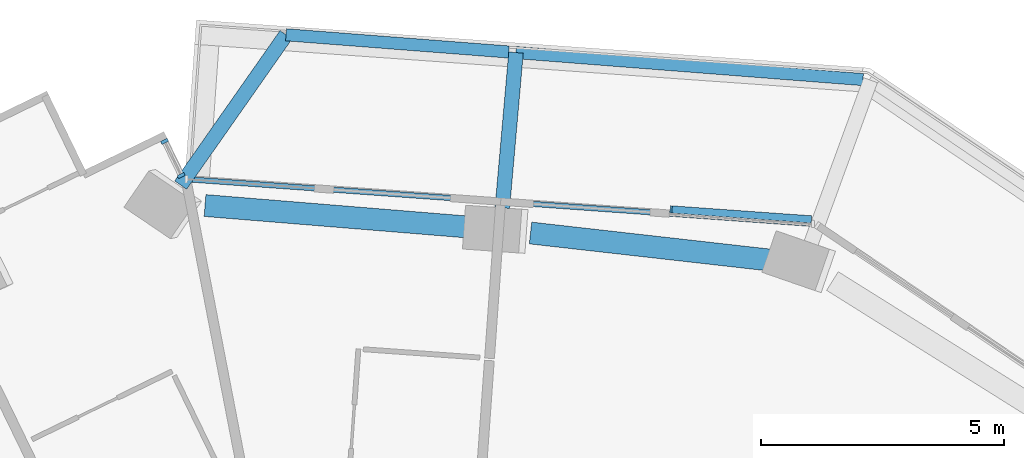
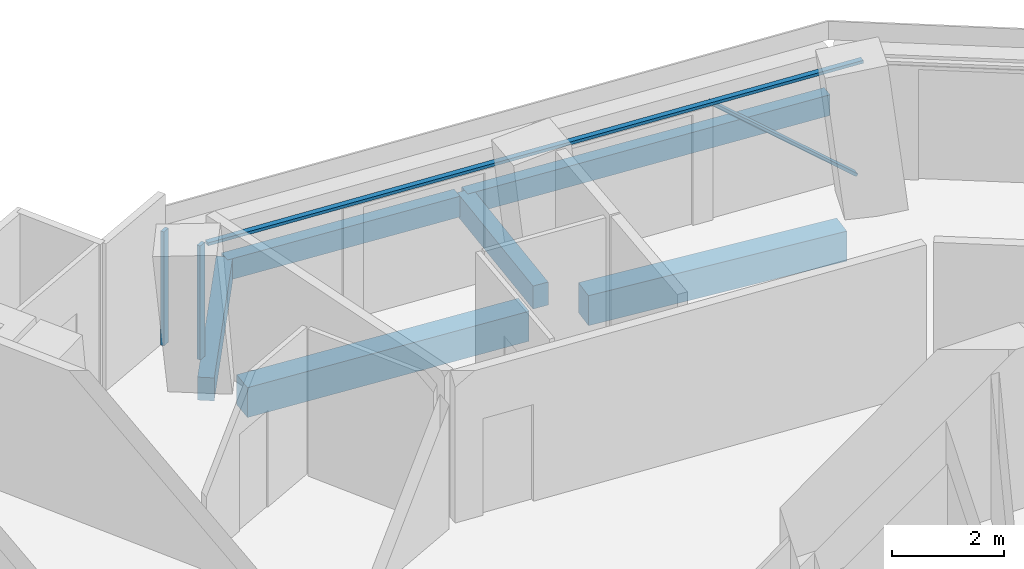
# One storey, part 7 of 22: 6 beams, 4 members, 2 elements without a shape of their own.
"""IFC4 building model written with IfcOpenShell, lengths in metres."""

import ifcopenshell
import ifcopenshell.guid

model = None  # the IFC model being written
_history = None  # IfcOwnerHistory: only IFC2X3 demands one
_inside = {}  # id of a spatial element -> (the spatial element, [elements in it])
_under = {}  # id of a project, library or spatial element -> (it, [spatial elements below it])
_declared = {}  # id of a project -> (the project, [libraries it declares])
_typed = {}  # id of a type object -> (the type object, [elements of that type])
_made_of = {}  # id of a material, layer set ... -> (it, [elements and type objects made of it])


def new_model(schema):
    """Start an empty IFC model of exactly this schema.

    Asked for "IFC4X3", IfcOpenShell would pick the latest addendum, in which some entities
    have other attributes; the version numbers below select the first issue.
    IFC2X3 requires an IfcOwnerHistory on every rooted entity: one is made here for all.
    """
    global model, _history
    if schema == "IFC4X3":
        model = ifcopenshell.file(schema_version=(4, 3, 0, 0))
    else:
        model = ifcopenshell.file(schema=schema)
    _inside.clear()
    _under.clear()
    _declared.clear()
    _typed.clear()
    _made_of.clear()
    _history = None
    if model.schema == "IFC2X3":
        org = make("IfcOrganization", Name="unknown")
        user = make(
            "IfcPersonAndOrganization",
            ThePerson=make("IfcPerson", FamilyName="unknown"),
            TheOrganization=org,
        )
        app = make(
            "IfcApplication",
            ApplicationDeveloper=org,
            Version="unknown",
            ApplicationFullName="unknown",
            ApplicationIdentifier="unknown",
        )
        _history = make(
            "IfcOwnerHistory",
            OwningUser=user,
            OwningApplication=app,
            ChangeAction="ADDED",
            CreationDate=0,
        )
    return model


def make(cls, **values):
    """One entity of the class cls with the attributes given. An attribute that is None is left unset."""
    return model.create_entity(
        cls, **{name: value for name, value in values.items() if value is not None}
    )


def rooted(cls, **values):
    """An entity with a GlobalId (a new one), such as an element, a storey or a relation."""
    return make(cls, GlobalId=ifcopenshell.guid.new(), OwnerHistory=_history, **values)


def si_unit(unit_type, name, prefix=None):
    """IfcSIUnit, for example si_unit("LENGTHUNIT", "METRE", prefix="MILLI")."""
    return make("IfcSIUnit", UnitType=unit_type, Prefix=prefix, Name=name)


def assignment(units):
    """IfcUnitAssignment: the units of a project."""
    return None if units is None else make("IfcUnitAssignment", Units=units)


def point(xyz):
    """IfcCartesianPoint."""
    return None if xyz is None else make("IfcCartesianPoint", Coordinates=xyz)


def direction(xyz):
    """IfcDirection."""
    return None if xyz is None else make("IfcDirection", DirectionRatios=xyz)


def frame(location, z_axis=None, x_axis=None):
    """IfcAxis2Placement3D, a coordinate frame: its origin and axes. An axis left out is left unset."""
    return make(
        "IfcAxis2Placement3D",
        Location=point(location),
        Axis=direction(z_axis),
        RefDirection=direction(x_axis),
    )


def frame_2d(location, x_axis=None):
    """IfcAxis2Placement2D, a coordinate frame in the plane: its origin and x axis."""
    return make(
        "IfcAxis2Placement2D", Location=point(location), RefDirection=direction(x_axis)
    )


def origin():
    """The frame at (0, 0, 0) with its axes left unset."""
    return frame((0.0, 0.0, 0.0))


def origin_2d():
    """The frame at (0, 0) in the plane with its x axis left unset."""
    return frame_2d((0.0, 0.0))


def place(relative_to, where):
    """IfcLocalPlacement: puts the frame where relative to a parent placement (None: the world)."""
    return make(
        "IfcLocalPlacement", PlacementRelTo=relative_to, RelativePlacement=where
    )


def context(
    kind, dimensions, precision=None, world=None, true_north=None, identifier=None
):
    """IfcGeometricRepresentationContext, for example the 3D "Model" context."""
    return make(
        "IfcGeometricRepresentationContext",
        ContextIdentifier=identifier,
        ContextType=kind,
        CoordinateSpaceDimension=dimensions,
        Precision=precision,
        WorldCoordinateSystem=world,
        TrueNorth=true_north,
    )


def subcontext(parent, identifier, kind, view, scale=None):
    """IfcGeometricRepresentationSubContext, for example "Body" below "Model"."""
    return make(
        "IfcGeometricRepresentationSubContext",
        ContextIdentifier=identifier,
        ContextType=kind,
        ParentContext=parent,
        TargetScale=scale,
        TargetView=view,
    )


def project(units=None, contexts=None):
    """IfcProject with its units and contexts."""
    return rooted(
        "IfcProject",
        Name="project",
        RepresentationContexts=contexts,
        UnitsInContext=assignment(units),
    )


def spatial(cls, under=None, at=None, **own):
    """A site, building, storey or space (cls), placed at a placement, below another one or the project."""
    s = rooted(cls, ObjectPlacement=at, **own)
    if under is not None:
        _under.setdefault(under.id(), (under, []))[1].append(s)
    return s


def profile(cls, at=None, kind="AREA", **sizes):
    """A parametric profile (cls). Its sizes go by their IFC names, for example OverallWidth=200.0."""
    return make(cls, ProfileType=kind, Position=at, **sizes)


def rectangle(**sizes):
    """IfcRectangleProfileDef."""
    return profile("IfcRectangleProfileDef", **sizes)


def extrude(swept, where, along, depth):
    """IfcExtrudedAreaSolid: the profile swept, set in the frame where, extruded along a direction by depth."""
    return make(
        "IfcExtrudedAreaSolid",
        SweptArea=swept,
        Position=where,
        ExtrudedDirection=direction(along),
        Depth=depth,
    )


def shape(context_of_items, identifier, shape_type, items):
    """IfcShapeRepresentation: the items that make up one representation, for example the "Body"."""
    return make(
        "IfcShapeRepresentation",
        ContextOfItems=context_of_items,
        RepresentationIdentifier=identifier,
        RepresentationType=shape_type,
        Items=items,
    )


def material(Name=None, Category=None):
    """IfcMaterial."""
    return make("IfcMaterial", Name=Name, Category=Category)


def layer(
    of_material, thickness, ventilated=None, Name=None, Category=None, Priority=None
):
    """IfcMaterialLayer: one layer of a wall or slab, of a material (None: an air gap)."""
    return make(
        "IfcMaterialLayer",
        Material=of_material,
        LayerThickness=thickness,
        IsVentilated=ventilated,
        Name=Name,
        Category=Category,
        Priority=Priority,
    )


def layer_set(layers, Name=None):
    """IfcMaterialLayerSet."""
    return make("IfcMaterialLayerSet", MaterialLayers=layers, LayerSetName=Name)


def material_profile(
    of_material, cross_section, Name=None, Category=None, Priority=None
):
    """IfcMaterialProfile: a cross section and its material."""
    return make(
        "IfcMaterialProfile",
        Name=Name,
        Material=of_material,
        Profile=cross_section,
        Priority=Priority,
        Category=Category,
    )


def profile_set(profiles, Name=None, composite=None):
    """IfcMaterialProfileSet."""
    return make(
        "IfcMaterialProfileSet",
        Name=Name,
        MaterialProfiles=profiles,
        CompositeProfile=composite,
    )


def made_of(thing, what):
    """Note that an element or type object is made of a material, layer set ...; save() writes the relation."""
    if what is not None:
        _made_of.setdefault(what.id(), (what, []))[1].append(thing)
    return thing


def type_object(cls, material=None, **own):
    """A type object (cls), such as IfcWallType, which elements share."""
    return made_of(rooted(cls, **own), material)


def element(
    cls,
    number,
    at=None,
    inside=None,
    cuts=None,
    type_object=None,
    material=None,
    context=None,
    identifier="Body",
    shape_type=None,
    held_by="IfcProductDefinitionShape",
    body=None,
    shapes=None,
    **own,
):
    """One element of the class cls, such as IfcWall. Its Tag is "e" and its number.

    at: its placement. inside: the storey or other place that contains it. cuts: it is an
    opening in that element (IfcRelVoidsElement). A single representation is given by context,
    identifier, shape_type and body (its items); several are given by shapes. held_by: the class
    of the entity that holds the representations. save() writes the other relations.
    """
    e = rooted(cls, Tag="e%d" % number, ObjectPlacement=at, **own)
    if body is not None:
        shapes = [shape(context, identifier, shape_type, body)]
    if shapes is not None:
        e.Representation = make(held_by, Representations=shapes)
    if inside is not None:
        _inside.setdefault(inside.id(), (inside, []))[1].append(e)
    if cuts is not None:
        rooted(
            "IfcRelVoidsElement", RelatingBuildingElement=cuts, RelatedOpeningElement=e
        )
    if type_object is not None:
        _typed.setdefault(type_object.id(), (type_object, []))[1].append(e)
    return made_of(e, material)


def aggregate(whole, parts):
    """IfcRelAggregates: a whole, such as a stair, and the parts it consists of."""
    return rooted("IfcRelAggregates", RelatingObject=whole, RelatedObjects=parts)


def save(model, path):
    """Write the relations noted so far, then the file.

    IfcRelAggregates (storeys below a building ...), IfcRelContainedInSpatialStructure (elements
    in a storey), IfcRelDefinesByType, IfcRelAssociatesMaterial and IfcRelDeclares: one each for
    every whole, place, type object, material and project.
    """
    for whole, parts in _under.values():
        aggregate(whole, parts)
    for where, things in _inside.values():
        rooted(
            "IfcRelContainedInSpatialStructure",
            RelatedElements=things,
            RelatingStructure=where,
        )
    for kind, things in _typed.values():
        rooted("IfcRelDefinesByType", RelatedObjects=things, RelatingType=kind)
    for what, things in _made_of.values():
        rooted("IfcRelAssociatesMaterial", RelatedObjects=things, RelatingMaterial=what)
    for by, libraries in _declared.values():
        rooted("IfcRelDeclares", RelatingContext=by, RelatedDefinitions=libraries)
    model.write(path)


model = new_model("IFC4")

# Units and contexts
model_context = context("Model", 3, precision=1e-05, world=origin(), true_north=direction((0.0, 1.0)))
body_context = subcontext(model_context, "Body", "Model", "MODEL_VIEW")
ifc_project = project(units=[si_unit("LENGTHUNIT", "METRE"), si_unit("AREAUNIT", "SQUARE_METRE"), si_unit("VOLUMEUNIT", "CUBIC_METRE"), si_unit("PLANEANGLEUNIT", "RADIAN"), si_unit("MASSUNIT", "GRAM", prefix="KILO")], contexts=[model_context])

# Site, building, storey
site_placement = place(None, origin())
site = spatial("IfcSite", under=ifc_project, at=site_placement, CompositionType="ELEMENT")
building_placement = place(site_placement, origin())
building = spatial("IfcBuilding", under=site, at=building_placement, Name="Verdalira Terraces Hotel", CompositionType="ELEMENT")
storey_placement = place(building_placement, frame((0.0, 0.0, 140.0)))
storey = spatial("IfcBuildingStorey", under=building, at=storey_placement, Name="L33", CompositionType="ELEMENT", Elevation=140.0)

# Beams
ifc_material_1 = material(Name="Concrete C40", Category="concrete")
ifc_material_profile_1 = material_profile(ifc_material_1, rectangle(XDim=0.300049, YDim=0.5, at=origin_2d()), Name="RC 300X500")
ifc_profile_set_1 = profile_set([ifc_material_profile_1], Name="Concrete C40")
beam_type_1 = type_object("IfcBeamType", Name="Balcony cantilever beam RC 300X500 C40", PredefinedType="BEAM", material=ifc_profile_set_1)
beam_1_placement = place(storey_placement, frame((1.75415, 23.993896, -0.560059), z_axis=(0.087867098, 0.996132207, 0.0), x_axis=(-0.996132207, 0.087867098, 0.0)))
element("IfcBeam", 1, at=beam_1_placement, inside=storey, type_object=beam_type_1, Name="Balcony cantilever beam R40-4", PredefinedType="BEAM", context=body_context, shape_type="SweptSolid", body=[
    extrude(rectangle(XDim=0.300049, YDim=0.5, at=origin_2d()), origin(), (0.0, 0.0, 1.0), 3.200928),
])
beam_2_placement = place(storey_placement, frame((-4.851562, 24.461182, -0.560059), z_axis=(0.574109779, 0.818778335, 0.0), x_axis=(-0.818778335, 0.574109779, 0.0)))
element("IfcBeam", 2, at=beam_2_placement, inside=storey, type_object=beam_type_1, Name="Balcony cantilever beam R40-5", PredefinedType="BEAM", context=body_context, shape_type="SweptSolid", body=[
    extrude(rectangle(XDim=0.300049, YDim=0.5, at=origin_2d()), origin(), (0.0, 0.0, 1.0), 3.769775),
])
ifc_material_2 = material(Name="Concrete C40", Category="concrete")
ifc_material_profile_2 = material_profile(ifc_material_2, rectangle(XDim=0.25, YDim=0.449951, at=origin_2d()), Name="RC 250X450")
ifc_profile_set_2 = profile_set([ifc_material_profile_2], Name="Concrete C40")
beam_type_2 = type_object("IfcBeamType", Name="Balcony edge beam RC 250X450 C40", PredefinedType="BEAM", material=ifc_profile_set_2)
beam_3_placement = place(storey_placement, frame((9.159912, 26.627686, -0.534912), z_axis=(-0.996982914, 0.077621314, 0.0), x_axis=(-0.077621314, -0.996982914, 0.0)))
element("IfcBeam", 3, at=beam_3_placement, inside=storey, type_object=beam_type_2, Name="Balcony edge beam R40-3", PredefinedType="BEAM", context=body_context, shape_type="SweptSolid", body=[
    extrude(rectangle(XDim=0.25, YDim=0.449951, at=origin_2d()), origin(), (0.0, 0.0, 1.0), 7.145996),
])
beam_4_placement = place(storey_placement, frame((1.885742, 27.194092, -0.534912), z_axis=(-0.997021203, 0.077127955, 0.0), x_axis=(-0.077127955, -0.997021203, 0.0)))
element("IfcBeam", 4, at=beam_4_placement, inside=storey, type_object=beam_type_2, Name="Balcony edge beam R40-4", PredefinedType="BEAM", context=body_context, shape_type="SweptSolid", body=[
    extrude(rectangle(XDim=0.25, YDim=0.449951, at=origin_2d()), origin(), (0.0, 0.0, 1.0), 4.58667),
])

# Curtain wall, member
ifc_material_3 = material(Name="Clear glass", Category="glass")
ifc_layer_1 = layer(ifc_material_3, 0.14990234375)
ifc_layer_set_1 = layer_set([ifc_layer_1], Name="CW1 curtain wall")
curtain_wall_type_1 = type_object("IfcCurtainWallType", Name="CW1 curtain wall", PredefinedType="NOTDEFINED", material=ifc_layer_set_1)
curtain_wall_1_placement = place(storey_placement, origin())
curtain_wall_1 = element("IfcCurtainWall", 5, at=curtain_wall_1_placement, inside=storey, type_object=curtain_wall_type_1, Name="CW1 curtain wall L33 edge 41", PredefinedType="NOTDEFINED")
ifc_material_4 = material(Name="Terracotta frame", Category="masonry")
ifc_material_profile_3 = material_profile(ifc_material_4, rectangle(XDim=0.110107, YDim=0.064941, at=origin_2d()), Name="TR 65x110")
ifc_profile_set_3 = profile_set([ifc_material_profile_3], Name="Terracotta frame")
member_type_1 = type_object("IfcMemberType", Name="CW1 transom 65x110", PredefinedType="USERDEFINED", material=ifc_profile_set_3)
member_1_placement = place(storey_placement, frame((8.164062, 23.662354, 2.507568), z_axis=(-0.997465485, 0.071151998, 0.0), x_axis=(-0.071151998, -0.997465485, 0.0)))
member_1 = element("IfcMember", 6, at=member_1_placement, type_object=member_type_1, Name="CW1 transom", ObjectType="TRANSOM", PredefinedType="USERDEFINED", context=body_context, shape_type="SweptSolid", body=[
    extrude(rectangle(XDim=0.110107, YDim=0.064941, at=origin_2d()), origin(), (0.0, 0.0, 1.0), 12.959961),
])

# Curtain wall, members
ifc_material_5 = material(Name="Clear glass", Category="glass")
ifc_layer_2 = layer(ifc_material_5, 0.14990234375)
ifc_layer_set_2 = layer_set([ifc_layer_2], Name="CW2 curtain wall")
curtain_wall_type_2 = type_object("IfcCurtainWallType", Name="CW2 curtain wall", PredefinedType="NOTDEFINED", material=ifc_layer_set_2)
curtain_wall_2_placement = place(storey_placement, origin())
curtain_wall_2 = element("IfcCurtainWall", 7, at=curtain_wall_2_placement, inside=storey, type_object=curtain_wall_type_2, Name="CW2 curtain wall L33 edge 0", PredefinedType="NOTDEFINED")
ifc_material_6 = material(Name="Terracotta frame", Category="masonry")
ifc_material_profile_4 = material_profile(ifc_material_6, rectangle(XDim=0.070068, YDim=0.149902, at=origin_2d()), Name="MU 70x150")
ifc_profile_set_4 = profile_set([ifc_material_profile_4], Name="Terracotta frame")
member_type_2 = type_object("IfcMemberType", Name="CW2 mullion 70x150", PredefinedType="MULLION", material=ifc_profile_set_4)
member_2_placement = place(storey_placement, frame((-4.840332, 24.657959, 0.0), z_axis=(0.0, 0.0, 1.0), x_axis=(-0.437115767, 0.899405252, 0.0)))
member_2 = element("IfcMember", 8, at=member_2_placement, type_object=member_type_2, Name="CW2 mullion", PredefinedType="MULLION", context=body_context, shape_type="SweptSolid", body=[
    extrude(rectangle(XDim=0.070068, YDim=0.149902, at=origin_2d()), origin(), (0.0, 0.0, 1.0), 2.475098),
])
member_3_placement = place(storey_placement, frame((-5.181152, 25.359619, 0.0), z_axis=(0.0, 0.0, 1.0), x_axis=(-0.437115767, 0.899405252, 0.0)))
member_3 = element("IfcMember", 9, at=member_3_placement, type_object=member_type_2, Name="CW2 mullion", PredefinedType="MULLION", context=body_context, shape_type="SweptSolid", body=[
    extrude(rectangle(XDim=0.070068, YDim=0.149902, at=origin_2d()), origin(), (0.0, 0.0, 1.0), 2.475098),
])
aggregate(curtain_wall_2, [member_2, member_3])

# Member
ifc_material_7 = material(Name="Terracotta frame", Category="masonry")
ifc_material_profile_5 = material_profile(ifc_material_7, rectangle(XDim=0.149902, YDim=0.060059, at=origin_2d()), Name="GB 60x150")
ifc_profile_set_5 = profile_set([ifc_material_profile_5], Name="Terracotta frame")
member_type_3 = type_object("IfcMemberType", Name="Diagonal glazing bar 60x150", PredefinedType="USERDEFINED", material=ifc_profile_set_5)
member_4_placement = place(storey_placement, frame((8.082031, 23.757568, 0.02417), z_axis=(-0.761412795, 0.054265934, 0.645992078), x_axis=(-0.071089739, -0.997469924, 0.0)))
member_4 = element("IfcMember", 10, at=member_4_placement, type_object=member_type_3, Name="Diagonal glazing bar", ObjectType="GLAZING BAR", PredefinedType="USERDEFINED", context=body_context, shape_type="SweptSolid", body=[
    extrude(rectangle(XDim=0.149902, YDim=0.060059, at=origin_2d()), origin(), (0.0, 0.0, 1.0), 3.756592),
])

aggregate(curtain_wall_1, [member_1, member_4])

# Beams
ifc_material_8 = material(Name="Concrete C50", Category="concrete")
ifc_material_profile_6 = material_profile(ifc_material_8, rectangle(XDim=0.449951, YDim=0.649902, at=origin_2d()), Name="RC 450X650")
ifc_profile_set_6 = profile_set([ifc_material_profile_6], Name="Concrete C50")
beam_type_3 = type_object("IfcBeamType", Name="Spandrel beam RC 450X650 C50", PredefinedType="SPANDREL", material=ifc_profile_set_6)
beam_5_placement = place(storey_placement, frame((7.317139, 22.913574, -0.63501), z_axis=(-0.993668768, 0.112349362, 0.0), x_axis=(-0.112349362, -0.993668768, 0.0)))
element("IfcBeam", 11, at=beam_5_placement, inside=storey, type_object=beam_type_3, Name="Spandrel beam B22", PredefinedType="SPANDREL", context=body_context, shape_type="SweptSolid", body=[
    extrude(rectangle(XDim=0.449951, YDim=0.649902, at=origin_2d()), origin(), (0.0, 0.0, 1.0), 5.015381),
])
beam_6_placement = place(storey_placement, frame((1.175293, 23.589844, -0.63501), z_axis=(-0.996677179, 0.081453054, 0.0), x_axis=(-0.081453054, -0.996677179, 0.0)))
element("IfcBeam", 12, at=beam_6_placement, inside=storey, type_object=beam_type_3, Name="Spandrel beam B23", PredefinedType="SPANDREL", context=body_context, shape_type="SweptSolid", body=[
    extrude(rectangle(XDim=0.449951, YDim=0.649902, at=origin_2d()), origin(), (0.0, 0.0, 1.0), 5.544922),
])

save(model, "model.ifc")
